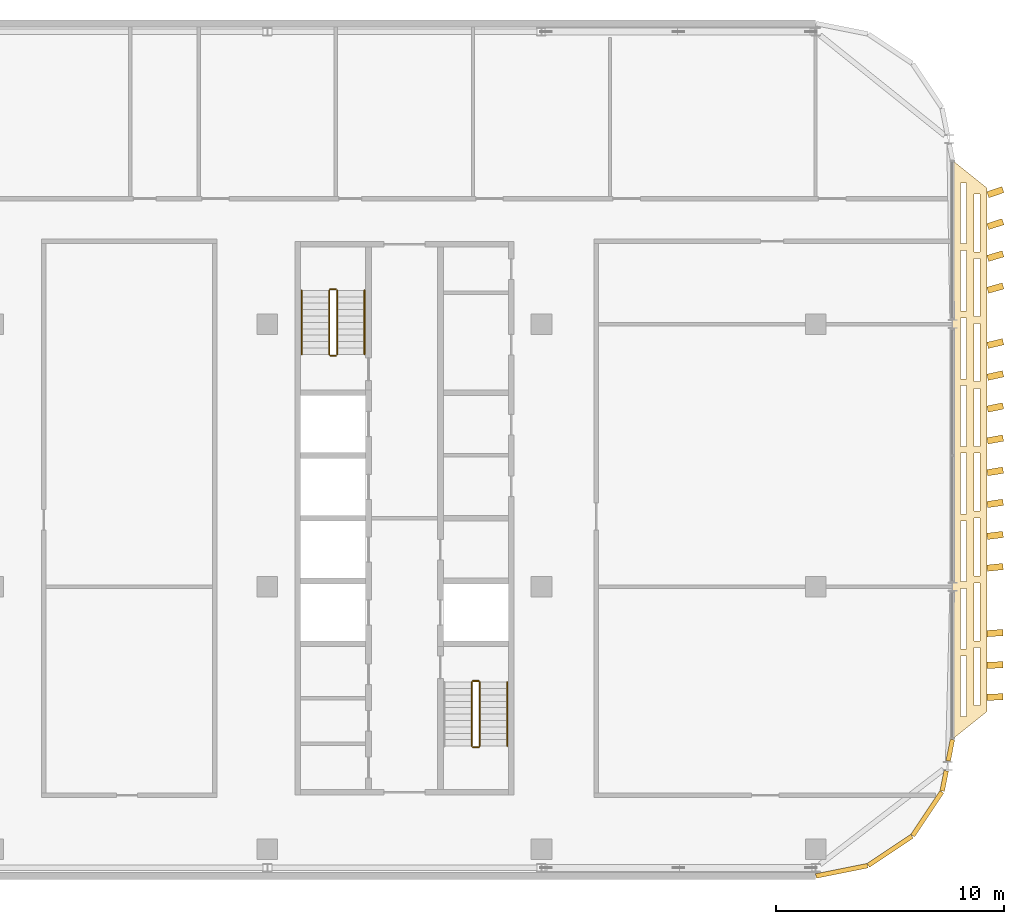
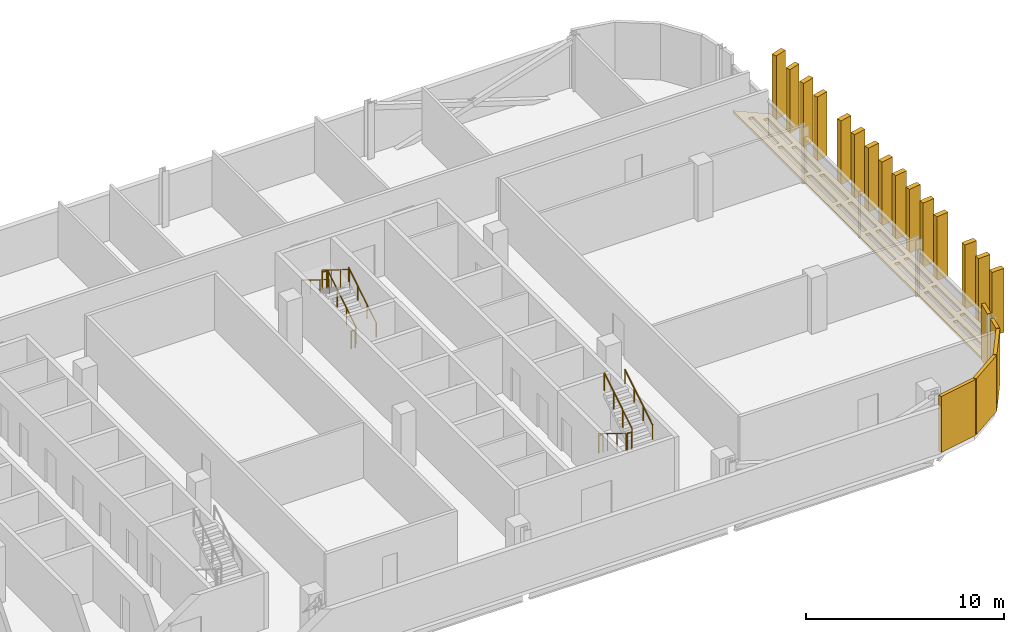
# One storey, part 24 of 25: 21 coverings, 11 railings.
"""IFC4 building model written with IfcOpenShell, lengths in metres."""

from ifc_helpers import new_model, si_unit, direction, frame, origin, origin_2d, place, context, subcontext, project, spatial, polyline, rectangle, circle, outline, extrude, material, layer, layer_set, type_object, element, save


model = new_model("IFC4")

# Units and contexts
model_context = context("Model", 3, precision=1e-05, world=origin(), true_north=direction((0.0, 1.0)))
body_context = subcontext(model_context, "Body", "Model", "MODEL_VIEW")
ifc_project = project(units=[si_unit("LENGTHUNIT", "METRE"), si_unit("AREAUNIT", "SQUARE_METRE"), si_unit("VOLUMEUNIT", "CUBIC_METRE"), si_unit("PLANEANGLEUNIT", "RADIAN"), si_unit("MASSUNIT", "GRAM", prefix="KILO")], contexts=[model_context])

# Site, building, storey
site_placement = place(None, origin())
site = spatial("IfcSite", under=ifc_project, at=site_placement, CompositionType="ELEMENT")
building_placement = place(site_placement, origin())
building = spatial("IfcBuilding", under=site, at=building_placement, Name="Mahtab Terrace Research Tower", CompositionType="ELEMENT")
storey_placement = place(building_placement, frame((0.0, 0.0, 278.5)))
storey = spatial("IfcBuildingStorey", under=building, at=storey_placement, Name="L68", CompositionType="ELEMENT", Elevation=278.5)

# Coverings
ifc_material_1 = material(Name="Black aluminium cladding panel", Category="aluminium")
ifc_layer_1 = layer(ifc_material_1, 0.199951171875)
ifc_layer_set_1 = layer_set([ifc_layer_1], Name="Black metal corner cladding 200")
covering_type_1 = type_object("IfcCoveringType", Name="Black metal corner cladding 200", PredefinedType="CLADDING", material=ifc_layer_set_1)
for number, where, z_axis, x_axis, name in (
    (1, (43.14794921875, -12.439453125, 0.0), (0.0, 0.0, 1.0), (0.980760981187, 0.195212442692, 0.0), "Corner cladding L68 17"),
    (2, (45.26953125, -11.56103515625, 0.0), (0.0, 0.0, 1.0), (0.831655794326, 0.555291490808, 0.0), "Corner cladding L68 18"),
    (3, (46.89306640625, -9.9375, 0.0), (0.0, 0.0, 1.0), (0.555291490808, 0.831655794326, 0.0), "Corner cladding L68 19"),
):
    element("IfcCovering", number, at=place(storey_placement, frame(where, z_axis=z_axis, x_axis=x_axis)), inside=storey, type_object=covering_type_1, Name=name, PredefinedType="CLADDING", context=body_context, shape_type="SweptSolid", body=[
        extrude(rectangle(XDim=2.30126953125, YDim=0.199951171875, at=origin_2d()), origin(), (0.0, 0.0, 1.0), 3.4599609375),
    ])
covering_1_placement = place(storey_placement, frame((47.635009765625, -8.50146484375, 0.0), z_axis=(0.0, 0.0, 1.0), x_axis=(0.195212442692, 0.980760981187, 0.0)))
element("IfcCovering", 4, at=covering_1_placement, inside=storey, type_object=covering_type_1, Name="Corner cladding L68 20", PredefinedType="CLADDING", context=body_context, shape_type="SweptSolid", body=[
    extrude(rectangle(XDim=0.9033203125, YDim=0.199951171875, at=origin_2d()), origin(), (0.0, 0.0, 1.0), 3.4599609375),
])
covering_2_placement = place(storey_placement, frame((47.90283203125, -7.15625, 0.0), z_axis=(0.0, 0.0, 1.0), x_axis=(0.195212442692, 0.980760981187, 0.0)))
element("IfcCovering", 5, at=covering_2_placement, inside=storey, type_object=covering_type_1, Name="Corner cladding L68 21", PredefinedType="CLADDING", context=body_context, shape_type="SweptSolid", body=[
    extrude(rectangle(XDim=0.955810546875, YDim=0.199951171875, at=origin_2d()), origin(), (0.0, 0.0, 1.0), 3.4599609375),
])
ifc_material_2 = material(Name="Black anodised aluminium", Category="aluminium")
ifc_layer_2 = layer(ifc_material_2, 0.14990234375)
ifc_layer_set_2 = layer_set([ifc_layer_2], Name="Horizontal sunshade band")
covering_type_2 = type_object("IfcCoveringType", Name="Horizontal sunshade band", PredefinedType="CLADDING", material=ifc_layer_set_2)
covering_3_placement = place(storey_placement, frame((0.0, 0.0, -0.14990234375)))
element("IfcCovering", 6, at=covering_3_placement, inside=storey, type_object=covering_type_2, Name="Sunshade band L68 22", PredefinedType="CLADDING", context=body_context, shape_type="SweptSolid", body=[
    extrude(outline(polyline([(48.0, -6.66796875), (48.0, 18.66796875), (49.5, 17.468017578125), (49.5, -5.468017578125), (48.0, -6.66796875)]), holes=[polyline([(48.35009765625, -5.68798828125), (48.35009765625, -3.029052734375), (48.60009765625, -3.029052734375), (48.60009765625, -5.68798828125), (48.35009765625, -5.68798828125)]), polyline([(48.35009765625, -2.72900390625), (48.35009765625, -0.069091796875), (48.60009765625, -0.069091796875), (48.60009765625, -2.72900390625), (48.35009765625, -2.72900390625)]), polyline([(48.35009765625, 0.23095703125), (48.35009765625, 2.889892578125), (48.60009765625, 2.889892578125), (48.60009765625, 0.23095703125), (48.35009765625, 0.23095703125)]), polyline([(48.35009765625, 3.18994140625), (48.35009765625, 5.85009765625), (48.60009765625, 5.85009765625), (48.60009765625, 3.18994140625), (48.35009765625, 3.18994140625)]), polyline([(48.35009765625, 6.14990234375), (48.35009765625, 8.80908203125), (48.60009765625, 8.80908203125), (48.60009765625, 6.14990234375), (48.35009765625, 6.14990234375)]), polyline([(48.35009765625, 9.10888671875), (48.35009765625, 11.76904296875), (48.60009765625, 11.76904296875), (48.60009765625, 9.10888671875), (48.35009765625, 9.10888671875)]), polyline([(48.35009765625, 12.069091796875), (48.35009765625, 14.72802734375), (48.60009765625, 14.72802734375), (48.60009765625, 12.069091796875), (48.35009765625, 12.069091796875)]), polyline([(48.35009765625, 15.028076171875), (48.35009765625, 17.68798828125), (48.60009765625, 17.68798828125), (48.60009765625, 15.028076171875), (48.35009765625, 15.028076171875)]), polyline([(48.949951171875, -5.2080078125), (48.949951171875, -2.6689453125), (49.199951171875, -2.6689453125), (49.199951171875, -5.2080078125), (48.949951171875, -5.2080078125)]), polyline([(48.949951171875, -2.368896484375), (48.949951171875, 0.1708984375), (49.199951171875, 0.1708984375), (49.199951171875, -2.368896484375), (48.949951171875, -2.368896484375)]), polyline([(48.949951171875, 0.470947265625), (48.949951171875, 3.010009765625), (49.199951171875, 3.010009765625), (49.199951171875, 0.470947265625), (48.949951171875, 0.470947265625)]), polyline([(48.949951171875, 3.31005859375), (48.949951171875, 5.85009765625), (49.199951171875, 5.85009765625), (49.199951171875, 3.31005859375), (48.949951171875, 3.31005859375)]), polyline([(48.949951171875, 6.14990234375), (48.949951171875, 8.68896484375), (49.199951171875, 8.68896484375), (49.199951171875, 6.14990234375), (48.949951171875, 6.14990234375)]), polyline([(48.949951171875, 8.989013671875), (48.949951171875, 11.529052734375), (49.199951171875, 11.529052734375), (49.199951171875, 8.989013671875), (48.949951171875, 8.989013671875)]), polyline([(48.949951171875, 11.8291015625), (48.949951171875, 14.367919921875), (49.199951171875, 14.367919921875), (49.199951171875, 11.8291015625), (48.949951171875, 11.8291015625)]), polyline([(48.949951171875, 14.66796875), (48.949951171875, 17.2080078125), (49.199951171875, 17.2080078125), (49.199951171875, 14.66796875), (48.949951171875, 14.66796875)])]), origin(), (0.0, 0.0, 1.0), 0.14990234375),
])

# Railings
ifc_material_3 = material(Name="Stainless steel AISI 304", Category="steel")
railing_type_1 = type_object("IfcRailingType", Name="Stair guard 1100", PredefinedType="GUARDRAIL", material=ifc_material_3)
railing_1_placement = place(storey_placement, frame((21.050048828125, 10.175048828125, 0.172607421875)))
element("IfcRailing", 7, at=railing_1_placement, inside=storey, type_object=railing_type_1, Name="L68 ST3 stair guard 1", PredefinedType="GUARDRAIL", context=body_context, shape_type="SweptSolid", body=[
    extrude(circle(Radius=0.02392578125, at=origin_2d()), frame((0.0, 0.0, 1.076171875), z_axis=(0.0, 0.851089632645, 0.525020415988), x_axis=(-1.0, 0.0, 0.0)), (0.0, 0.0, 1.0), 3.2900390625),
    extrude(circle(Radius=0.02099609375, at=origin_2d()), origin(), (0.0, 0.0, 1.0), 1.052001953125),
    extrude(circle(Radius=0.02099609375, at=origin_2d()), frame((0.0, 0.933349609375, 0.57568359375)), (0.0, 0.0, 1.0), 1.052001953125),
    extrude(circle(Radius=0.02099609375, at=origin_2d()), frame((0.0, 1.86669921875, 1.151611328125)), (0.0, 0.0, 1.0), 1.052001953125),
    extrude(circle(Radius=0.02099609375, at=origin_2d()), frame((0.0, 2.800048828125, 1.727294921875)), (0.0, 0.0, 1.0), 1.052001953125),
])
railing_2_placement = place(storey_placement, frame((21.0, 13.02490234375, 1.89990234375)))
element("IfcRailing", 8, at=railing_2_placement, inside=storey, type_object=railing_type_1, Name="L68 ST3 stair guard 2", PredefinedType="GUARDRAIL", context=body_context, shape_type="SweptSolid", body=[
    extrude(circle(Radius=0.02392578125, at=origin_2d()), frame((0.0, 0.0, 1.076171875), z_axis=(-1.0, 0.0, 0.0), x_axis=(0.0, -1.0, 0.0)), (0.0, 0.0, 1.0), 0.25),
    extrude(circle(Radius=0.02099609375, at=origin_2d()), origin(), (0.0, 0.0, 1.0), 1.052001953125),
    extrude(circle(Radius=0.02099609375, at=origin_2d()), frame((-0.25, 0.0, 0.0)), (0.0, 0.0, 1.0), 1.052001953125),
])
railing_3_placement = place(storey_placement, frame((20.699951171875, 12.97509765625, 2.07275390625)))
element("IfcRailing", 9, at=railing_3_placement, inside=storey, type_object=railing_type_1, Name="L68 ST3 stair guard 3", PredefinedType="GUARDRAIL", context=body_context, shape_type="SweptSolid", body=[
    extrude(circle(Radius=0.02392578125, at=origin_2d()), frame((0.0, 0.0, 1.076171875), z_axis=(0.0, -0.851089632645, 0.525020415988), x_axis=(1.0, 0.0, 0.0)), (0.0, 0.0, 1.0), 3.2900390625),
    extrude(circle(Radius=0.02099609375, at=origin_2d()), origin(), (0.0, 0.0, 1.0), 1.052001953125),
    extrude(circle(Radius=0.02099609375, at=origin_2d()), frame((0.0, -0.933349609375, 0.57568359375)), (0.0, 0.0, 1.0), 1.052001953125),
    extrude(circle(Radius=0.02099609375, at=origin_2d()), frame((0.0, -1.86669921875, 1.151611328125)), (0.0, 0.0, 1.0), 1.052001953125),
    extrude(circle(Radius=0.02099609375, at=origin_2d()), frame((0.0, -2.800048828125, 1.727294921875)), (0.0, 0.0, 1.0), 1.052001953125),
])
railing_4_placement = place(storey_placement, frame((21.0, 10.125, 0.0)))
element("IfcRailing", 10, at=railing_4_placement, inside=storey, type_object=railing_type_1, Name="L68 ST3 stair guard 4", PredefinedType="GUARDRAIL", context=body_context, shape_type="SweptSolid", body=[
    extrude(circle(Radius=0.02392578125, at=origin_2d()), frame((0.0, 0.0, 1.076171875), z_axis=(-1.0, 0.0, 0.0), x_axis=(0.0, -1.0, 0.0)), (0.0, 0.0, 1.0), 0.25),
    extrude(circle(Radius=0.02099609375, at=origin_2d()), origin(), (0.0, 0.0, 1.0), 1.052001953125),
    extrude(circle(Radius=0.02099609375, at=origin_2d()), frame((-0.25, 0.0, 0.0)), (0.0, 0.0, 1.0), 1.052001953125),
])
railing_5_placement = place(storey_placement, frame((26.949951171875, -4.175048828125, 0.172607421875)))
element("IfcRailing", 11, at=railing_5_placement, inside=storey, type_object=railing_type_1, Name="L68 ST4 stair guard 1", PredefinedType="GUARDRAIL", context=body_context, shape_type="SweptSolid", body=[
    extrude(circle(Radius=0.02392578125, at=origin_2d()), frame((0.0, 0.0, 1.076171875), z_axis=(0.0, -0.851089632645, 0.525020415988), x_axis=(1.0, 0.0, 0.0)), (0.0, 0.0, 1.0), 3.2900390625),
    extrude(circle(Radius=0.02099609375, at=origin_2d()), origin(), (0.0, 0.0, 1.0), 1.052001953125),
    extrude(circle(Radius=0.02099609375, at=origin_2d()), frame((0.0, -0.933349609375, 0.57568359375)), (0.0, 0.0, 1.0), 1.052001953125),
    extrude(circle(Radius=0.02099609375, at=origin_2d()), frame((0.0, -1.86669921875, 1.151611328125)), (0.0, 0.0, 1.0), 1.052001953125),
    extrude(circle(Radius=0.02099609375, at=origin_2d()), frame((0.0, -2.800048828125, 1.727294921875)), (0.0, 0.0, 1.0), 1.052001953125),
])
railing_6_placement = place(storey_placement, frame((27.0, -7.02490234375, 1.89990234375)))
element("IfcRailing", 12, at=railing_6_placement, inside=storey, type_object=railing_type_1, Name="L68 ST4 stair guard 2", PredefinedType="GUARDRAIL", context=body_context, shape_type="SweptSolid", body=[
    extrude(circle(Radius=0.02392578125, at=origin_2d()), frame((0.0, 0.0, 1.076171875), z_axis=(1.0, 0.0, 0.0), x_axis=(0.0, 1.0, 0.0)), (0.0, 0.0, 1.0), 0.25),
    extrude(circle(Radius=0.02099609375, at=origin_2d()), origin(), (0.0, 0.0, 1.0), 1.052001953125),
    extrude(circle(Radius=0.02099609375, at=origin_2d()), frame((0.25, 0.0, 0.0)), (0.0, 0.0, 1.0), 1.052001953125),
])
railing_7_placement = place(storey_placement, frame((27.300048828125, -6.97509765625, 2.07275390625)))
element("IfcRailing", 13, at=railing_7_placement, inside=storey, type_object=railing_type_1, Name="L68 ST4 stair guard 3", PredefinedType="GUARDRAIL", context=body_context, shape_type="SweptSolid", body=[
    extrude(circle(Radius=0.02392578125, at=origin_2d()), frame((0.0, 0.0, 1.076171875), z_axis=(0.0, 0.851089632645, 0.525020415988), x_axis=(-1.0, 0.0, 0.0)), (0.0, 0.0, 1.0), 3.2900390625),
    extrude(circle(Radius=0.02099609375, at=origin_2d()), origin(), (0.0, 0.0, 1.0), 1.052001953125),
    extrude(circle(Radius=0.02099609375, at=origin_2d()), frame((0.0, 0.933349609375, 0.57568359375)), (0.0, 0.0, 1.0), 1.052001953125),
    extrude(circle(Radius=0.02099609375, at=origin_2d()), frame((0.0, 1.86669921875, 1.151611328125)), (0.0, 0.0, 1.0), 1.052001953125),
    extrude(circle(Radius=0.02099609375, at=origin_2d()), frame((0.0, 2.800048828125, 1.727294921875)), (0.0, 0.0, 1.0), 1.052001953125),
])
railing_8_placement = place(storey_placement, frame((27.0, -4.125, 0.0)))
element("IfcRailing", 14, at=railing_8_placement, inside=storey, type_object=railing_type_1, Name="L68 ST4 stair guard 4", PredefinedType="GUARDRAIL", context=body_context, shape_type="SweptSolid", body=[
    extrude(circle(Radius=0.02392578125, at=origin_2d()), frame((0.0, 0.0, 1.076171875), z_axis=(1.0, 0.0, 0.0), x_axis=(0.0, 1.0, 0.0)), (0.0, 0.0, 1.0), 0.25),
    extrude(circle(Radius=0.02099609375, at=origin_2d()), origin(), (0.0, 0.0, 1.0), 1.052001953125),
    extrude(circle(Radius=0.02099609375, at=origin_2d()), frame((0.25, 0.0, 0.0)), (0.0, 0.0, 1.0), 1.052001953125),
])
railing_type_2 = type_object("IfcRailingType", Name="Stair handrail 900", PredefinedType="HANDRAIL", material=ifc_material_3)
railing_9_placement = place(storey_placement, frame((22.25, 10.175048828125, 0.172607421875)))
element("IfcRailing", 15, at=railing_9_placement, inside=storey, type_object=railing_type_2, Name="L68 ST3 stair handrail 1", PredefinedType="HANDRAIL", context=body_context, shape_type="SweptSolid", body=[
    extrude(circle(Radius=0.02392578125, at=origin_2d()), frame((0.0, 0.0, 0.8759765625), z_axis=(0.0, 0.851089632645, 0.525020415988), x_axis=(-1.0, 0.0, 0.0)), (0.0, 0.0, 1.0), 3.2900390625),
    extrude(circle(Radius=0.02099609375, at=origin_2d()), origin(), (0.0, 0.0, 1.0), 0.851806640625),
    extrude(circle(Radius=0.02099609375, at=origin_2d()), frame((0.0, 0.933349609375, 0.57568359375)), (0.0, 0.0, 1.0), 0.851806640625),
    extrude(circle(Radius=0.02099609375, at=origin_2d()), frame((0.0, 1.86669921875, 1.151611328125)), (0.0, 0.0, 1.0), 0.851806640625),
    extrude(circle(Radius=0.02099609375, at=origin_2d()), frame((0.0, 2.800048828125, 1.727294921875)), (0.0, 0.0, 1.0), 0.851806640625),
])
railing_10_placement = place(storey_placement, frame((19.5, 12.97509765625, 2.07275390625)))
element("IfcRailing", 16, at=railing_10_placement, inside=storey, type_object=railing_type_2, Name="L68 ST3 stair handrail 2", PredefinedType="HANDRAIL", context=body_context, shape_type="SweptSolid", body=[
    extrude(circle(Radius=0.02392578125, at=origin_2d()), frame((0.0, 0.0, 0.8759765625), z_axis=(0.0, -0.851089632645, 0.525020415988), x_axis=(1.0, 0.0, 0.0)), (0.0, 0.0, 1.0), 3.2900390625),
    extrude(circle(Radius=0.02099609375, at=origin_2d()), origin(), (0.0, 0.0, 1.0), 0.851806640625),
    extrude(circle(Radius=0.02099609375, at=origin_2d()), frame((0.0, -0.933349609375, 0.57568359375)), (0.0, 0.0, 1.0), 0.851806640625),
    extrude(circle(Radius=0.02099609375, at=origin_2d()), frame((0.0, -1.86669921875, 1.151611328125)), (0.0, 0.0, 1.0), 0.851806640625),
    extrude(circle(Radius=0.02099609375, at=origin_2d()), frame((0.0, -2.800048828125, 1.727294921875)), (0.0, 0.0, 1.0), 0.851806640625),
])
railing_11_placement = place(storey_placement, frame((28.5, -6.97509765625, 2.07275390625)))
element("IfcRailing", 17, at=railing_11_placement, inside=storey, type_object=railing_type_2, Name="L68 ST4 stair handrail 2", PredefinedType="HANDRAIL", context=body_context, shape_type="SweptSolid", body=[
    extrude(circle(Radius=0.02392578125, at=origin_2d()), frame((0.0, 0.0, 0.8759765625), z_axis=(0.0, 0.851089632645, 0.525020415988), x_axis=(-1.0, 0.0, 0.0)), (0.0, 0.0, 1.0), 3.2900390625),
    extrude(circle(Radius=0.02099609375, at=origin_2d()), origin(), (0.0, 0.0, 1.0), 0.851806640625),
    extrude(circle(Radius=0.02099609375, at=origin_2d()), frame((0.0, 0.933349609375, 0.57568359375)), (0.0, 0.0, 1.0), 0.851806640625),
    extrude(circle(Radius=0.02099609375, at=origin_2d()), frame((0.0, 1.86669921875, 1.151611328125)), (0.0, 0.0, 1.0), 0.851806640625),
    extrude(circle(Radius=0.02099609375, at=origin_2d()), frame((0.0, 2.800048828125, 1.727294921875)), (0.0, 0.0, 1.0), 0.851806640625),
])

# Coverings
ifc_material_4 = material(Name="Bronze anodised aluminium", Category="aluminium")
ifc_layer_3 = layer(ifc_material_4, 0.1201171875)
ifc_layer_set_3 = layer_set([ifc_layer_3], Name="Vertical fin 700")
covering_type_3 = type_object("IfcCoveringType", Name="Vertical fin 700", PredefinedType="CLADDING", material=ifc_layer_set_3)
for number, where, z_axis, x_axis, name in (
    (18, (49.853515625, -4.827880859375, -0.14990234375), (0.0, 0.0, 1.0), (-0.025347820221, 0.999678692386, 0.0), "Fin L68 E1"),
    (19, (49.85595703125, -3.427978515625, -0.14990234375), (0.0, 0.0, 1.0), (-0.044624162814, 0.999003845885, 0.0), "Fin L68 E2"),
    (20, (49.858154296875, -2.028076171875, -0.14990234375), (0.0, 0.0, 1.0), (-0.063883903754, 0.997957337185, 0.0), "Fin L68 E3"),
    (21, (49.862548828125, 0.85009765625, -0.14990234375), (0.0, 0.0, 1.0), (-0.103393870684, 0.994640491587, 0.0), "Fin L68 E1"),
    (22, (49.864501953125, 2.25, -0.14990234375), (0.0, 0.0, 1.0), (-0.122558522369, 0.99246128821, 0.0), "Fin L68 E2"),
    (23, (49.8662109375, 3.64990234375, -0.14990234375), (0.0, 0.0, 1.0), (-0.141677578246, 0.989912856681, 0.0), "Fin L68 E3"),
    (24, (49.867919921875, 5.050048828125, -0.14990234375), (0.0, 0.0, 1.0), (-0.160743925433, 0.986996145097, 0.0), "Fin L68 E4"),
    (25, (49.869384765625, 6.449951171875, -0.14990234375), (0.0, 0.0, 1.0), (-0.179750470608, 0.983712238572, 0.0), "Fin L68 E5"),
    (26, (49.870849609375, 7.85009765625, -0.14990234375), (0.0, 0.0, 1.0), (-0.198690142695, 0.98006235883, 0.0), "Fin L68 E6"),
    (27, (49.8720703125, 9.25, -0.14990234375), (0.0, 0.0, 1.0), (-0.217555895548, 0.97604786374, 0.0), "Fin L68 E7"),
    (28, (49.873291015625, 10.64990234375, -0.14990234375), (0.0, 0.0, 1.0), (-0.236340710473, 0.971670246829, 0.0), "Fin L68 E8"),
    (29, (49.874755859375, 13.077880859375, -0.14990234375), (0.0, 0.0, 1.0), (-0.268706433402, 0.963222120099, 0.0), "Fin L68 E1"),
    (30, (49.87548828125, 14.47802734375, -0.14990234375), (0.0, 0.0, 1.0), (-0.287234360101, 0.957860335528, 0.0), "Fin L68 E2"),
    (31, (49.8759765625, 15.8779296875, -0.14990234375), (0.0, 0.0, 1.0), (-0.305655426197, 0.952142195492, 0.0), "Fin L68 E3"),
    (32, (49.87646484375, 17.278076171875, -0.14990234375), (0.0, 0.0, 1.0), (-0.323962778431, 0.946069827334, 0.0), "Fin L68 E4"),
):
    element("IfcCovering", number, at=place(storey_placement, frame(where, z_axis=z_axis, x_axis=x_axis)), inside=storey, type_object=covering_type_3, Name=name, PredefinedType="CLADDING", context=body_context, shape_type="SweptSolid", body=[
        extrude(rectangle(XDim=0.280029296875, YDim=0.699951171875, at=origin_2d()), origin(), (0.0, 0.0, 1.0), 3.949951171875),
    ])

save(model, "model.ifc")
